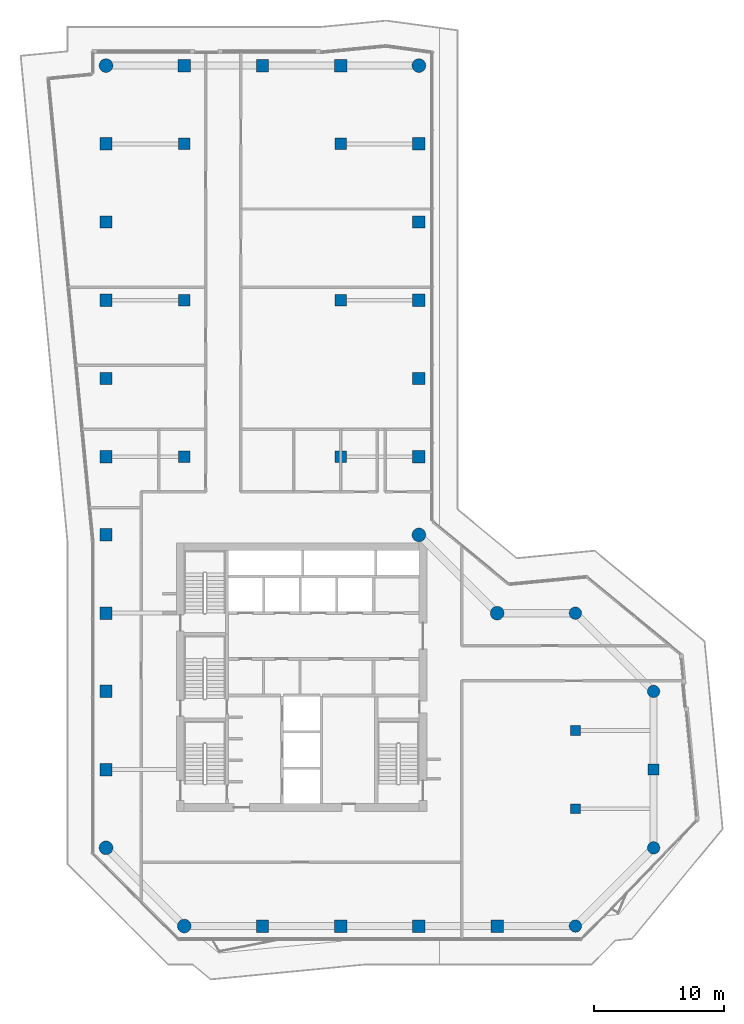
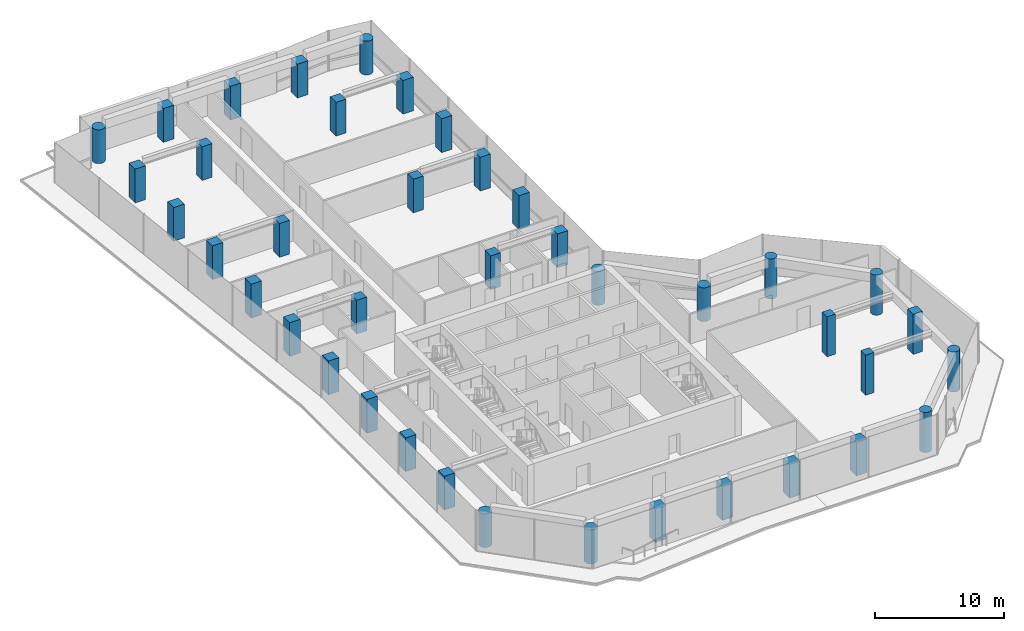
# One storey, part 1 of 22: 40 columns.
"""IFC4 building model written with IfcOpenShell, lengths in metres."""

from ifc_helpers import new_model, si_unit, direction, frame, origin, origin_2d, place, context, subcontext, project, spatial, rectangle, circle, extrude, material, material_profile, profile_set, type_object, element, save


model = new_model("IFC4")

# Units and contexts
model_context = context("Model", 3, precision=1e-05, world=origin(), true_north=direction((0.0, 1.0)))
body_context = subcontext(model_context, "Body", "Model", "MODEL_VIEW")
ifc_project = project(units=[si_unit("LENGTHUNIT", "METRE"), si_unit("AREAUNIT", "SQUARE_METRE"), si_unit("VOLUMEUNIT", "CUBIC_METRE"), si_unit("PLANEANGLEUNIT", "RADIAN"), si_unit("MASSUNIT", "GRAM", prefix="KILO")], contexts=[model_context])

# Site, building, storey
site_placement = place(None, origin())
site = spatial("IfcSite", under=ifc_project, at=site_placement, CompositionType="ELEMENT")
building_placement = place(site_placement, origin())
building = spatial("IfcBuilding", under=site, at=building_placement, Name="Welwitschia Terrace Campus", CompositionType="ELEMENT")
storey_placement = place(building_placement, frame((0.0, 0.0, 192.800048828125)))
storey = spatial("IfcBuildingStorey", under=building, at=storey_placement, Name="L43", CompositionType="ELEMENT", Elevation=192.800048828125)

# Columns
ifc_material_1 = material(Name="Concrete C50/60", Category="concrete")
ifc_material_profile_1 = material_profile(ifc_material_1, circle(Radius=0.52490234375, at=origin_2d()))
ifc_profile_set_1 = profile_set([ifc_material_profile_1], Name="Concrete C50/60")
column_type_1 = type_object("IfcColumnType", Name="Corner column 1050 dia under truss", PredefinedType="COLUMN", material=ifc_profile_set_1)
for number, where, z_axis, x_axis, name in (
    (1, (0.0, 2.0, 0.0), (0.0, 0.0, 1.0), (1.0, 0.0, 0.0), "Column C26"),
    (2, (0.0, 62.0, 0.0), (0.0, 0.0, 1.0), (1.0, 0.0, 0.0), "Column C26"),
    (3, (6.0, -4.0, 0.0), (0.0, 0.0, 1.0), (1.0, 0.0, 0.0), "Column C26"),
    (4, (24.0, 26.0, 0.0), (0.0, 0.0, 1.0), (1.0, 0.0, 0.0), "Column C26"),
    (5, (24.0, 62.0, 0.0), (0.0, 0.0, 1.0), (1.0, 0.0, 0.0), "Column C26"),
    (6, (30.0, 20.0, 0.0), (0.0, 0.0, 1.0), (1.0, 0.0, 0.0), "Column C26"),
):
    element("IfcColumn", number, at=place(storey_placement, frame(where, z_axis=z_axis, x_axis=x_axis)), inside=storey, type_object=column_type_1, Name=name, PredefinedType="COLUMN", context=body_context, shape_type="SweptSolid", body=[
        extrude(circle(Radius=0.52490234375, at=origin_2d()), origin(), (0.0, 0.0, 1.0), 3.199951171875),
    ])
ifc_material_2 = material(Name="Concrete C50/60", Category="concrete")
ifc_material_profile_2 = material_profile(ifc_material_2, circle(Radius=0.47509765625, at=origin_2d()))
ifc_profile_set_2 = profile_set([ifc_material_profile_2], Name="Concrete C50/60")
column_type_2 = type_object("IfcColumnType", Name="Corner column 950 dia", PredefinedType="COLUMN", material=ifc_profile_set_2)
for number, where, z_axis, x_axis, name in (
    (7, (36.0, -4.0, 0.0), (0.0, 0.0, 1.0), (1.0, 0.0, 0.0), "Column C24"),
    (8, (36.0, 20.0, 0.0), (0.0, 0.0, 1.0), (1.0, 0.0, 0.0), "Column C24"),
    (9, (42.0, 2.0, 0.0), (0.0, 0.0, 1.0), (1.0, 0.0, 0.0), "Column C24"),
    (10, (42.0, 14.0, 0.0), (0.0, 0.0, 1.0), (1.0, 0.0, 0.0), "Column C24"),
):
    element("IfcColumn", number, at=place(storey_placement, frame(where, z_axis=z_axis, x_axis=x_axis)), inside=storey, type_object=column_type_2, Name=name, PredefinedType="COLUMN", context=body_context, shape_type="SweptSolid", body=[
        extrude(circle(Radius=0.47509765625, at=origin_2d()), origin(), (0.0, 0.0, 1.0), 3.800048828125),
    ])
ifc_material_3 = material(Name="Concrete C50/60", Category="concrete")
ifc_material_profile_3 = material_profile(ifc_material_3, rectangle(XDim=0.75, YDim=0.75, at=origin_2d()))
ifc_profile_set_3 = profile_set([ifc_material_profile_3], Name="Concrete C50/60")
column_type_3 = type_object("IfcColumnType", Name="Interior column 750x750", PredefinedType="COLUMN", material=ifc_profile_set_3)
for number, where, z_axis, x_axis, name in (
    (11, (36.0, 5.0, 0.0), (0.0, 0.0, 1.0), (1.0, 0.0, 0.0), "Column C25"),
    (12, (36.0, 11.0, 0.0), (0.0, 0.0, 1.0), (1.0, 0.0, 0.0), "Column C25"),
):
    element("IfcColumn", number, at=place(storey_placement, frame(where, z_axis=z_axis, x_axis=x_axis)), inside=storey, type_object=column_type_3, Name=name, PredefinedType="COLUMN", context=body_context, shape_type="SweptSolid", body=[
        extrude(rectangle(XDim=0.75, YDim=0.75, at=origin_2d()), origin(), (0.0, 0.0, 1.0), 3.800048828125),
    ])
ifc_material_4 = material(Name="Concrete C50/60", Category="concrete")
ifc_material_profile_4 = material_profile(ifc_material_4, rectangle(XDim=0.89990234375, YDim=0.89990234375, at=origin_2d()))
ifc_profile_set_4 = profile_set([ifc_material_profile_4], Name="Concrete C50/60")
column_type_4 = type_object("IfcColumnType", Name="Interior column 900x900 under truss", PredefinedType="COLUMN", material=ifc_profile_set_4)
for number, where, z_axis, x_axis, name in (
    (13, (6.0, 32.0, 0.0), (0.0, 0.0, 1.0), (1.0, 0.0, 0.0), "Column C28"),
    (14, (6.0, 44.0, 0.0), (0.0, 0.0, 1.0), (1.0, 0.0, 0.0), "Column C28"),
    (15, (6.0, 56.0, 0.0), (0.0, 0.0, 1.0), (1.0, 0.0, 0.0), "Column C28"),
    (16, (18.0, 32.0, 0.0), (0.0, 0.0, 1.0), (1.0, 0.0, 0.0), "Column C28"),
    (17, (18.0, 44.0, 0.0), (0.0, 0.0, 1.0), (1.0, 0.0, 0.0), "Column C28"),
    (18, (18.0, 56.0, 0.0), (0.0, 0.0, 1.0), (1.0, 0.0, 0.0), "Column C28"),
):
    element("IfcColumn", number, at=place(storey_placement, frame(where, z_axis=z_axis, x_axis=x_axis)), inside=storey, type_object=column_type_4, Name=name, PredefinedType="COLUMN", context=body_context, shape_type="SweptSolid", body=[
        extrude(rectangle(XDim=0.89990234375, YDim=0.89990234375, at=origin_2d()), origin(), (0.0, 0.0, 1.0), 3.199951171875),
    ])
ifc_material_5 = material(Name="Concrete C50/60", Category="concrete")
ifc_material_profile_5 = material_profile(ifc_material_5, rectangle(XDim=0.85009765625, YDim=0.85009765625, at=origin_2d()))
ifc_profile_set_5 = profile_set([ifc_material_profile_5], Name="Concrete C50/60")
column_type_5 = type_object("IfcColumnType", Name="Ring column 850x850", PredefinedType="COLUMN", material=ifc_profile_set_5)
column_placement = place(storey_placement, frame((42.0, 8.0, 0.0), z_axis=(0.0, 0.0, 1.0), x_axis=(1.0, 0.0, 0.0)))
element("IfcColumn", 19, at=column_placement, inside=storey, type_object=column_type_5, Name="Column C23", PredefinedType="COLUMN", context=body_context, shape_type="SweptSolid", body=[
    extrude(rectangle(XDim=0.85009765625, YDim=0.85009765625, at=origin_2d()), origin(), (0.0, 0.0, 1.0), 3.800048828125),
])
ifc_material_6 = material(Name="Concrete C50/60", Category="concrete")
ifc_material_profile_6 = material_profile(ifc_material_6, rectangle(XDim=0.949951171875, YDim=0.949951171875, at=origin_2d()))
ifc_profile_set_6 = profile_set([ifc_material_profile_6], Name="Concrete C50/60")
column_type_6 = type_object("IfcColumnType", Name="Ring column 950x950 under truss", PredefinedType="COLUMN", material=ifc_profile_set_6)
for number, where, z_axis, x_axis, name in (
    (20, (0.0, 8.0, 0.0), (0.0, 0.0, 1.0), (1.0, 0.0, 0.0), "Column C27"),
    (21, (0.0, 14.0, 0.0), (0.0, 0.0, 1.0), (1.0, 0.0, 0.0), "Column C27"),
    (22, (0.0, 20.0, 0.0), (0.0, 0.0, 1.0), (1.0, 0.0, 0.0), "Column C27"),
    (23, (0.0, 26.0, 0.0), (0.0, 0.0, 1.0), (1.0, 0.0, 0.0), "Column C27"),
    (24, (0.0, 32.0, 0.0), (0.0, 0.0, 1.0), (1.0, 0.0, 0.0), "Column C27"),
    (25, (0.0, 38.0, 0.0), (0.0, 0.0, 1.0), (1.0, 0.0, 0.0), "Column C27"),
    (26, (0.0, 44.0, 0.0), (0.0, 0.0, 1.0), (1.0, 0.0, 0.0), "Column C27"),
    (27, (0.0, 50.0, 0.0), (0.0, 0.0, 1.0), (1.0, 0.0, 0.0), "Column C27"),
    (28, (0.0, 56.0, 0.0), (0.0, 0.0, 1.0), (1.0, 0.0, 0.0), "Column C27"),
    (29, (6.0, 62.0, 0.0), (0.0, 0.0, 1.0), (1.0, 0.0, 0.0), "Column C27"),
    (30, (12.0, -4.0, 0.0), (0.0, 0.0, 1.0), (1.0, 0.0, 0.0), "Column C27"),
    (31, (12.0, 62.0, 0.0), (0.0, 0.0, 1.0), (1.0, 0.0, 0.0), "Column C27"),
    (32, (18.0, -4.0, 0.0), (0.0, 0.0, 1.0), (1.0, 0.0, 0.0), "Column C27"),
    (33, (18.0, 62.0, 0.0), (0.0, 0.0, 1.0), (1.0, 0.0, 0.0), "Column C27"),
    (34, (24.0, -4.0, 0.0), (0.0, 0.0, 1.0), (1.0, 0.0, 0.0), "Column C27"),
    (35, (24.0, 32.0, 0.0), (0.0, 0.0, 1.0), (1.0, 0.0, 0.0), "Column C27"),
    (36, (24.0, 38.0, 0.0), (0.0, 0.0, 1.0), (1.0, 0.0, 0.0), "Column C27"),
    (37, (24.0, 44.0, 0.0), (0.0, 0.0, 1.0), (1.0, 0.0, 0.0), "Column C27"),
    (38, (24.0, 50.0, 0.0), (0.0, 0.0, 1.0), (1.0, 0.0, 0.0), "Column C27"),
    (39, (24.0, 56.0, 0.0), (0.0, 0.0, 1.0), (1.0, 0.0, 0.0), "Column C27"),
    (40, (30.0, -4.0, 0.0), (0.0, 0.0, 1.0), (1.0, 0.0, 0.0), "Column C27"),
):
    element("IfcColumn", number, at=place(storey_placement, frame(where, z_axis=z_axis, x_axis=x_axis)), inside=storey, type_object=column_type_6, Name=name, PredefinedType="COLUMN", context=body_context, shape_type="SweptSolid", body=[
        extrude(rectangle(XDim=0.949951171875, YDim=0.949951171875, at=origin_2d()), origin(), (0.0, 0.0, 1.0), 3.199951171875),
    ])

save(model, "model.ifc")
